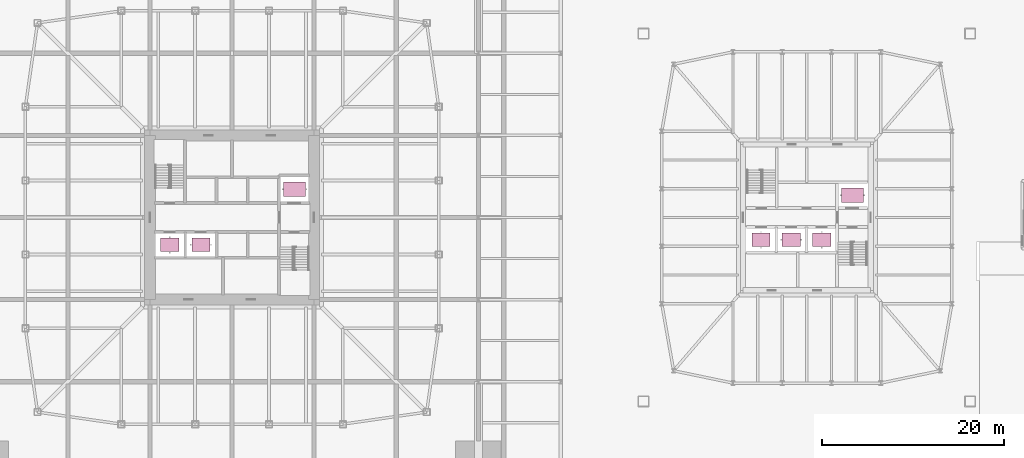
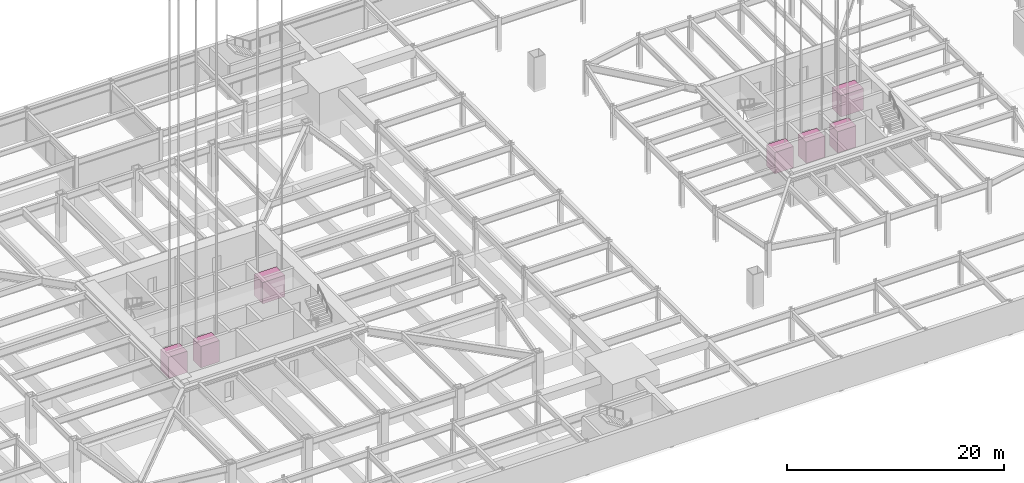
# One storey, part 35 of 35: 7 transport elements.
"""IFC4 building model written with IfcOpenShell, lengths in metres."""

import ifcopenshell
import ifcopenshell.guid

model = None  # the IFC model being written
_history = None  # IfcOwnerHistory: only IFC2X3 demands one
_inside = {}  # id of a spatial element -> (the spatial element, [elements in it])
_under = {}  # id of a project, library or spatial element -> (it, [spatial elements below it])
_declared = {}  # id of a project -> (the project, [libraries it declares])
_typed = {}  # id of a type object -> (the type object, [elements of that type])
_made_of = {}  # id of a material, layer set ... -> (it, [elements and type objects made of it])


def new_model(schema):
    """Start an empty IFC model of exactly this schema.

    Asked for "IFC4X3", IfcOpenShell would pick the latest addendum, in which some entities
    have other attributes; the version numbers below select the first issue.
    IFC2X3 requires an IfcOwnerHistory on every rooted entity: one is made here for all.
    """
    global model, _history
    if schema == "IFC4X3":
        model = ifcopenshell.file(schema_version=(4, 3, 0, 0))
    else:
        model = ifcopenshell.file(schema=schema)
    _inside.clear()
    _under.clear()
    _declared.clear()
    _typed.clear()
    _made_of.clear()
    _history = None
    if model.schema == "IFC2X3":
        org = make("IfcOrganization", Name="unknown")
        user = make(
            "IfcPersonAndOrganization",
            ThePerson=make("IfcPerson", FamilyName="unknown"),
            TheOrganization=org,
        )
        app = make(
            "IfcApplication",
            ApplicationDeveloper=org,
            Version="unknown",
            ApplicationFullName="unknown",
            ApplicationIdentifier="unknown",
        )
        _history = make(
            "IfcOwnerHistory",
            OwningUser=user,
            OwningApplication=app,
            ChangeAction="ADDED",
            CreationDate=0,
        )
    return model


def make(cls, **values):
    """One entity of the class cls with the attributes given. An attribute that is None is left unset."""
    return model.create_entity(
        cls, **{name: value for name, value in values.items() if value is not None}
    )


def rooted(cls, **values):
    """An entity with a GlobalId (a new one), such as an element, a storey or a relation."""
    return make(cls, GlobalId=ifcopenshell.guid.new(), OwnerHistory=_history, **values)


def si_unit(unit_type, name, prefix=None):
    """IfcSIUnit, for example si_unit("LENGTHUNIT", "METRE", prefix="MILLI")."""
    return make("IfcSIUnit", UnitType=unit_type, Prefix=prefix, Name=name)


def assignment(units):
    """IfcUnitAssignment: the units of a project."""
    return None if units is None else make("IfcUnitAssignment", Units=units)


def point(xyz):
    """IfcCartesianPoint."""
    return None if xyz is None else make("IfcCartesianPoint", Coordinates=xyz)


def direction(xyz):
    """IfcDirection."""
    return None if xyz is None else make("IfcDirection", DirectionRatios=xyz)


def frame(location, z_axis=None, x_axis=None):
    """IfcAxis2Placement3D, a coordinate frame: its origin and axes. An axis left out is left unset."""
    return make(
        "IfcAxis2Placement3D",
        Location=point(location),
        Axis=direction(z_axis),
        RefDirection=direction(x_axis),
    )


def frame_2d(location, x_axis=None):
    """IfcAxis2Placement2D, a coordinate frame in the plane: its origin and x axis."""
    return make(
        "IfcAxis2Placement2D", Location=point(location), RefDirection=direction(x_axis)
    )


def origin():
    """The frame at (0, 0, 0) with its axes left unset."""
    return frame((0.0, 0.0, 0.0))


def origin_2d():
    """The frame at (0, 0) in the plane with its x axis left unset."""
    return frame_2d((0.0, 0.0))


def place(relative_to, where):
    """IfcLocalPlacement: puts the frame where relative to a parent placement (None: the world)."""
    return make(
        "IfcLocalPlacement", PlacementRelTo=relative_to, RelativePlacement=where
    )


def context(
    kind, dimensions, precision=None, world=None, true_north=None, identifier=None
):
    """IfcGeometricRepresentationContext, for example the 3D "Model" context."""
    return make(
        "IfcGeometricRepresentationContext",
        ContextIdentifier=identifier,
        ContextType=kind,
        CoordinateSpaceDimension=dimensions,
        Precision=precision,
        WorldCoordinateSystem=world,
        TrueNorth=true_north,
    )


def subcontext(parent, identifier, kind, view, scale=None):
    """IfcGeometricRepresentationSubContext, for example "Body" below "Model"."""
    return make(
        "IfcGeometricRepresentationSubContext",
        ContextIdentifier=identifier,
        ContextType=kind,
        ParentContext=parent,
        TargetScale=scale,
        TargetView=view,
    )


def project(units=None, contexts=None):
    """IfcProject with its units and contexts."""
    return rooted(
        "IfcProject",
        Name="project",
        RepresentationContexts=contexts,
        UnitsInContext=assignment(units),
    )


def spatial(cls, under=None, at=None, **own):
    """A site, building, storey or space (cls), placed at a placement, below another one or the project."""
    s = rooted(cls, ObjectPlacement=at, **own)
    if under is not None:
        _under.setdefault(under.id(), (under, []))[1].append(s)
    return s


def profile(cls, at=None, kind="AREA", **sizes):
    """A parametric profile (cls). Its sizes go by their IFC names, for example OverallWidth=200.0."""
    return make(cls, ProfileType=kind, Position=at, **sizes)


def rectangle(**sizes):
    """IfcRectangleProfileDef."""
    return profile("IfcRectangleProfileDef", **sizes)


def extrude(swept, where, along, depth):
    """IfcExtrudedAreaSolid: the profile swept, set in the frame where, extruded along a direction by depth."""
    return make(
        "IfcExtrudedAreaSolid",
        SweptArea=swept,
        Position=where,
        ExtrudedDirection=direction(along),
        Depth=depth,
    )


def shape(context_of_items, identifier, shape_type, items):
    """IfcShapeRepresentation: the items that make up one representation, for example the "Body"."""
    return make(
        "IfcShapeRepresentation",
        ContextOfItems=context_of_items,
        RepresentationIdentifier=identifier,
        RepresentationType=shape_type,
        Items=items,
    )


def material(Name=None, Category=None):
    """IfcMaterial."""
    return make("IfcMaterial", Name=Name, Category=Category)


def made_of(thing, what):
    """Note that an element or type object is made of a material, layer set ...; save() writes the relation."""
    if what is not None:
        _made_of.setdefault(what.id(), (what, []))[1].append(thing)
    return thing


def type_object(cls, material=None, **own):
    """A type object (cls), such as IfcWallType, which elements share."""
    return made_of(rooted(cls, **own), material)


def element(
    cls,
    number,
    at=None,
    inside=None,
    cuts=None,
    type_object=None,
    material=None,
    context=None,
    identifier="Body",
    shape_type=None,
    held_by="IfcProductDefinitionShape",
    body=None,
    shapes=None,
    **own,
):
    """One element of the class cls, such as IfcWall. Its Tag is "e" and its number.

    at: its placement. inside: the storey or other place that contains it. cuts: it is an
    opening in that element (IfcRelVoidsElement). A single representation is given by context,
    identifier, shape_type and body (its items); several are given by shapes. held_by: the class
    of the entity that holds the representations. save() writes the other relations.
    """
    e = rooted(cls, Tag="e%d" % number, ObjectPlacement=at, **own)
    if body is not None:
        shapes = [shape(context, identifier, shape_type, body)]
    if shapes is not None:
        e.Representation = make(held_by, Representations=shapes)
    if inside is not None:
        _inside.setdefault(inside.id(), (inside, []))[1].append(e)
    if cuts is not None:
        rooted(
            "IfcRelVoidsElement", RelatingBuildingElement=cuts, RelatedOpeningElement=e
        )
    if type_object is not None:
        _typed.setdefault(type_object.id(), (type_object, []))[1].append(e)
    return made_of(e, material)


def aggregate(whole, parts):
    """IfcRelAggregates: a whole, such as a stair, and the parts it consists of."""
    return rooted("IfcRelAggregates", RelatingObject=whole, RelatedObjects=parts)


def save(model, path):
    """Write the relations noted so far, then the file.

    IfcRelAggregates (storeys below a building ...), IfcRelContainedInSpatialStructure (elements
    in a storey), IfcRelDefinesByType, IfcRelAssociatesMaterial and IfcRelDeclares: one each for
    every whole, place, type object, material and project.
    """
    for whole, parts in _under.values():
        aggregate(whole, parts)
    for where, things in _inside.values():
        rooted(
            "IfcRelContainedInSpatialStructure",
            RelatedElements=things,
            RelatingStructure=where,
        )
    for kind, things in _typed.values():
        rooted("IfcRelDefinesByType", RelatedObjects=things, RelatingType=kind)
    for what, things in _made_of.values():
        rooted("IfcRelAssociatesMaterial", RelatedObjects=things, RelatingMaterial=what)
    for by, libraries in _declared.values():
        rooted("IfcRelDeclares", RelatingContext=by, RelatedDefinitions=libraries)
    model.write(path)


model = new_model("IFC4")

# Units and contexts
model_context = context("Model", 3, precision=1e-05, world=origin(), true_north=direction((0.0, 1.0)))
body_context = subcontext(model_context, "Body", "Model", "MODEL_VIEW")
ifc_project = project(units=[si_unit("LENGTHUNIT", "METRE"), si_unit("AREAUNIT", "SQUARE_METRE"), si_unit("VOLUMEUNIT", "CUBIC_METRE"), si_unit("PLANEANGLEUNIT", "RADIAN"), si_unit("MASSUNIT", "GRAM", prefix="KILO")], contexts=[model_context])

# Site, building, storey
site_placement = place(None, origin())
site = spatial("IfcSite", under=ifc_project, at=site_placement, CompositionType="ELEMENT")
building_placement = place(site_placement, origin())
building = spatial("IfcBuilding", under=site, at=building_placement, Name="Iwan Alto Co-Living Towers", CompositionType="ELEMENT")
storey_placement = place(building_placement, frame((0.0, 0.0, -7.199951171875)))
storey = spatial("IfcBuildingStorey", under=building, at=storey_placement, Name="B2", CompositionType="ELEMENT", Elevation=-7.199951171875)

# Transport elements
ifc_material_1 = material(Name="Steel lift car", Category="steel")
transport_element_type_1 = type_object("IfcTransportElementType", Name="FL1 FIREFIGHTING LIFT 2400X1600 1800 KG", PredefinedType="ELEVATOR", material=ifc_material_1)
transport_element_1_placement = place(storey_placement, frame((6.85009765625, 3.10009765625, 0.0), z_axis=(0.0, 0.0, 1.0), x_axis=(1.0, 0.0, 0.0)))
element("IfcTransportElement", 1, at=transport_element_1_placement, inside=storey, type_object=transport_element_type_1, Name="Lift FL1", PredefinedType="ELEVATOR", context=body_context, shape_type="SweptSolid", body=[
    extrude(rectangle(XDim=2.39990234375, YDim=1.60009765625, at=origin_2d()), origin(), (0.0, 0.0, 1.0), 2.4),
])
ifc_material_2 = material(Name="Steel lift car", Category="steel")
transport_element_type_2 = type_object("IfcTransportElementType", Name="FL2 FIREFIGHTING LIFT 2400X1600 1800 KG", PredefinedType="ELEVATOR", material=ifc_material_2)
transport_element_2_placement = place(storey_placement, frame((68.0, 2.449951171875, 0.0), z_axis=(0.0, 0.0, 1.0), x_axis=(1.0, 0.0, 0.0)))
element("IfcTransportElement", 2, at=transport_element_2_placement, inside=storey, type_object=transport_element_type_2, Name="Lift FL2", PredefinedType="ELEVATOR", context=body_context, shape_type="SweptSolid", body=[
    extrude(rectangle(XDim=2.39990234375, YDim=1.60009765625, at=origin_2d()), origin(), (0.0, 0.0, 1.0), 2.4),
])
ifc_material_3 = material(Name="Steel lift car", Category="steel")
transport_element_type_3 = type_object("IfcTransportElementType", Name="P1 PASSENGER LIFT 2000X1500 1600 KG", PredefinedType="ELEVATOR", material=ifc_material_3)
transport_element_3_placement = place(storey_placement, frame((-6.83740234375, -3.0, 0.0), z_axis=(0.0, 0.0, 1.0), x_axis=(1.0, 0.0, 0.0)))
element("IfcTransportElement", 3, at=transport_element_3_placement, inside=storey, type_object=transport_element_type_3, Name="Lift P1-1", PredefinedType="ELEVATOR", context=body_context, shape_type="SweptSolid", body=[
    extrude(rectangle(XDim=2.0, YDim=1.5, at=origin_2d()), origin(), (0.0, 0.0, 1.0), 2.4),
])
transport_element_4_placement = place(storey_placement, frame((-3.41259765625, -3.0, 0.0), z_axis=(0.0, 0.0, 1.0), x_axis=(1.0, 0.0, 0.0)))
element("IfcTransportElement", 4, at=transport_element_4_placement, inside=storey, type_object=transport_element_type_3, Name="Lift P1-2", PredefinedType="ELEVATOR", context=body_context, shape_type="SweptSolid", body=[
    extrude(rectangle(XDim=2.0, YDim=1.5, at=origin_2d()), origin(), (0.0, 0.0, 1.0), 2.4),
])
ifc_material_4 = material(Name="Steel lift car", Category="steel")
transport_element_type_4 = type_object("IfcTransportElementType", Name="P5 PASSENGER LIFT 2000X1500 1600 KG", PredefinedType="ELEVATOR", material=ifc_material_4)
transport_element_5_placement = place(storey_placement, frame((57.966552734375, -2.449951171875, 0.0), z_axis=(0.0, 0.0, 1.0), x_axis=(1.0, 0.0, 0.0)))
element("IfcTransportElement", 5, at=transport_element_5_placement, inside=storey, type_object=transport_element_type_4, Name="Lift P5-1", PredefinedType="ELEVATOR", context=body_context, shape_type="SweptSolid", body=[
    extrude(rectangle(XDim=2.0, YDim=1.5, at=origin_2d()), origin(), (0.0, 0.0, 1.0), 2.4),
])
transport_element_6_placement = place(storey_placement, frame((61.300048828125, -2.449951171875, 0.0), z_axis=(0.0, 0.0, 1.0), x_axis=(1.0, 0.0, 0.0)))
element("IfcTransportElement", 6, at=transport_element_6_placement, inside=storey, type_object=transport_element_type_4, Name="Lift P5-2", PredefinedType="ELEVATOR", context=body_context, shape_type="SweptSolid", body=[
    extrude(rectangle(XDim=2.0, YDim=1.5, at=origin_2d()), origin(), (0.0, 0.0, 1.0), 2.4),
])
ifc_material_5 = material(Name="Steel lift car", Category="steel")
transport_element_type_5 = type_object("IfcTransportElementType", Name="P6 PASSENGER LIFT 2000X1500 1600 KG", PredefinedType="ELEVATOR", material=ifc_material_5)
transport_element_7_placement = place(storey_placement, frame((64.633544921875, -2.449951171875, 0.0), z_axis=(0.0, 0.0, 1.0), x_axis=(1.0, 0.0, 0.0)))
element("IfcTransportElement", 7, at=transport_element_7_placement, inside=storey, type_object=transport_element_type_5, Name="Lift P6-3", PredefinedType="ELEVATOR", context=body_context, shape_type="SweptSolid", body=[
    extrude(rectangle(XDim=2.0, YDim=1.5, at=origin_2d()), origin(), (0.0, 0.0, 1.0), 2.4),
])

save(model, "model.ifc")
